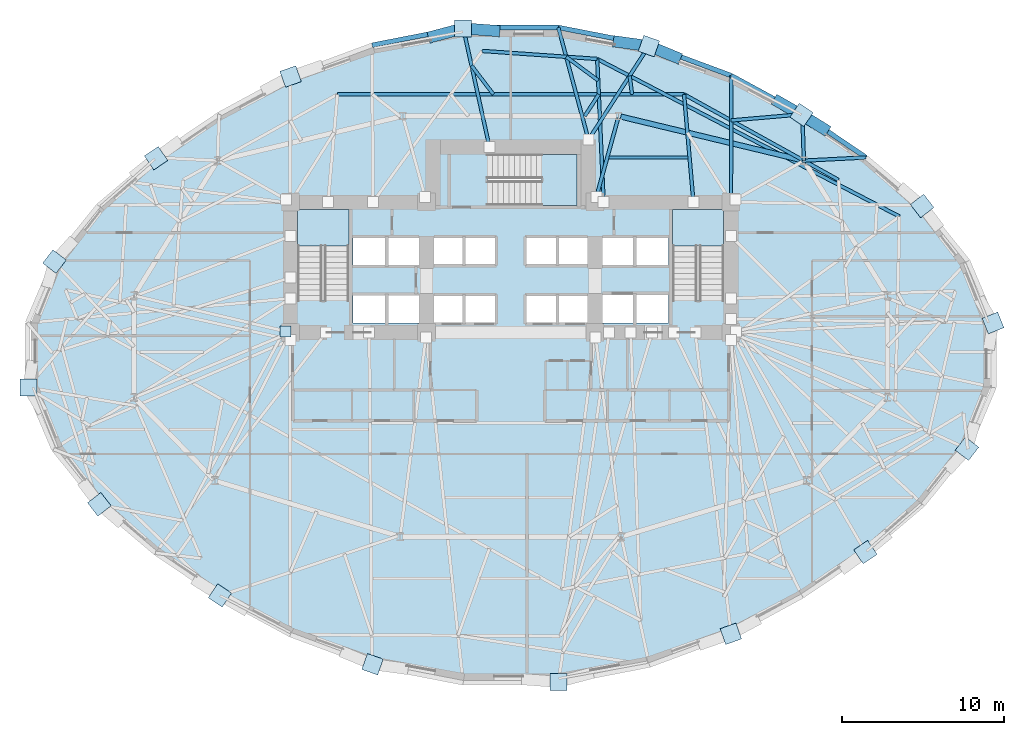
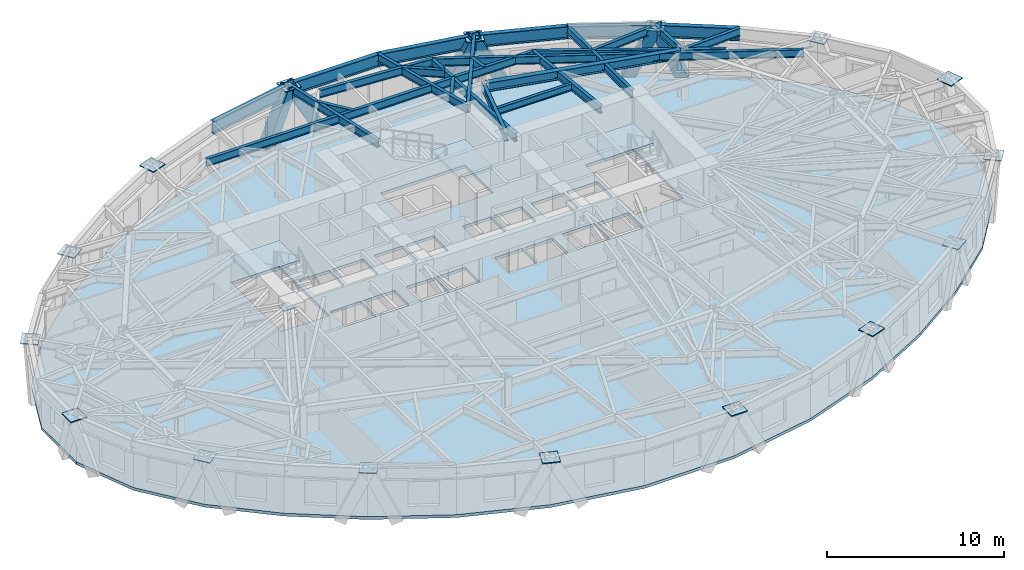
# One storey, part 5 of 14: 26 beams, 17 plates, 6 members, 4 slabs, 3 elements without a shape of their own.
"""IFC4 building model written with IfcOpenShell, lengths in metres."""

from ifc_helpers import new_model, si_unit, direction, frame, origin, origin_2d, place, context, subcontext, project, spatial, polyline, rectangle, hollow_rectangle, i_section, outline, extrude, material, layer, layer_set, material_profile, profile_set, type_object, element, aggregate, save


model = new_model("IFC4")

# Units and contexts
model_context = context("Model", 3, precision=1e-05, world=origin(), true_north=direction((0.0, 1.0)))
body_context = subcontext(model_context, "Body", "Model", "MODEL_VIEW")
ifc_project = project(units=[si_unit("LENGTHUNIT", "METRE"), si_unit("AREAUNIT", "SQUARE_METRE"), si_unit("VOLUMEUNIT", "CUBIC_METRE"), si_unit("PLANEANGLEUNIT", "RADIAN"), si_unit("MASSUNIT", "GRAM", prefix="KILO")], contexts=[model_context])

# Site, building, storey
site_placement = place(None, origin())
site = spatial("IfcSite", under=ifc_project, at=site_placement, CompositionType="ELEMENT")
building_placement = place(site_placement, origin())
building = spatial("IfcBuilding", under=site, at=building_placement, Name="Keldmark Tower", CompositionType="ELEMENT")
storey_placement = place(building_placement, frame((0.0, 0.0, 66.60009765625)))
storey = spatial("IfcBuildingStorey", under=building, at=storey_placement, Name="L17", CompositionType="ELEMENT", Elevation=66.60009765625)

# Beam
ifc_material_1 = material(Name="Steel ASTM A992 Grade 50", Category="steel")
ifc_material_profile_1 = material_profile(ifc_material_1, i_section(OverallWidth=0.19091796875, OverallDepth=0.45703125, WebThickness=0.009033203125, FlangeThickness=0.014404296875, at=origin_2d()), Name="W18X50")
ifc_profile_set_1 = profile_set([ifc_material_profile_1], Name="Steel ASTM A992 Grade 50")
beam_type_1 = type_object("IfcBeamType", Name="Composite Floor Joist W18X50", PredefinedType="JOIST", material=ifc_profile_set_1)
beam_1_placement = place(storey_placement, frame((6.060546875, 12.199951171875, 3.17138671875), z_axis=(1.0, 0.0, 0.0), x_axis=(0.0, 1.0, 0.0)))
element("IfcBeam", 1, at=beam_1_placement, inside=storey, type_object=beam_type_1, Name="L17 Composite Floor Joist J16", PredefinedType="JOIST", context=body_context, shape_type="SweptSolid", body=[
    extrude(i_section(OverallWidth=0.19091796875, OverallDepth=0.45703125, WebThickness=0.009033203125, FlangeThickness=0.014404296875, at=origin_2d()), origin(), (0.0, 0.0, 1.0), 4.882568359375),
])

# Members
ifc_material_2 = material(Name="Steel ASTM A572 Grade 50", Category="steel")
ifc_material_profile_2 = material_profile(ifc_material_2, hollow_rectangle(XDim=0.699951171875, YDim=0.699951171875, WallThickness=0.054931640625, at=origin_2d()), Name="BOX700X700X55")
ifc_profile_set_2 = profile_set([ifc_material_profile_2], Name="Steel ASTM A572 Grade 50")
member_type = type_object("IfcMemberType", Name="Diagrid Zone 1 Brace BOX700X700X55", PredefinedType="BRACE", material=ifc_profile_set_2)
member_1_placement = place(storey_placement, frame((19.31640625, 13.982421875, -0.280029296875), z_axis=(-0.348922415099, 0.218029628066, 0.911436355171), x_axis=(-0.529917000048, -0.848049510972, 0.0)))
element("IfcMember", 2, at=member_1_placement, inside=storey, type_object=member_type, Name="L17 Perimeter Diagrid Brace 02B", PredefinedType="BRACE", context=body_context, shape_type="SweptSolid", body=[
    extrude(hollow_rectangle(XDim=0.699951171875, YDim=0.699951171875, WallThickness=0.054931640625, at=origin_2d()), origin(), (0.0, 0.0, 1.0), 3.90576171875),
])
member_2_placement = place(storey_placement, frame((16.527587890625, 15.6455078125, -0.280029296875), z_axis=(0.365480191023, -0.20889914578, 0.907075177073), x_axis=(0.49623442189, 0.86818857314, 0.0)))
element("IfcMember", 3, at=member_2_placement, inside=storey, type_object=member_type, Name="L17 Perimeter Diagrid Brace 03A", PredefinedType="BRACE", context=body_context, shape_type="SweptSolid", body=[
    extrude(hollow_rectangle(XDim=0.699951171875, YDim=0.699951171875, WallThickness=0.054931640625, at=origin_2d()), origin(), (0.0, 0.0, 1.0), 3.924560546875),
])
member_3_placement = place(storey_placement, frame((10.1875, 18.399658203125, -0.280029296875), z_axis=(-0.415453523006, 0.17130335501, 0.893338418957), x_axis=(-0.38119547489, -0.924494461813, 0.0)))
element("IfcMember", 4, at=member_3_placement, inside=storey, type_object=member_type, Name="L17 Perimeter Diagrid Brace 03B", PredefinedType="BRACE", context=body_context, shape_type="SweptSolid", body=[
    extrude(hollow_rectangle(XDim=0.699951171875, YDim=0.699951171875, WallThickness=0.054931640625, at=origin_2d()), origin(), (0.0, 0.0, 1.0), 3.98486328125),
])
member_4_placement = place(storey_placement, frame((6.637451171875, 19.339111328125, -0.280029296875), z_axis=(0.470943156759, -0.06456235461, 0.879797843524), x_axis=(0.135821229572, 0.990733361504, 0.0)))
element("IfcMember", 5, at=member_4_placement, inside=storey, type_object=member_type, Name="L17 Perimeter Diagrid Brace 04A", PredefinedType="BRACE", context=body_context, shape_type="SweptSolid", body=[
    extrude(hollow_rectangle(XDim=0.699951171875, YDim=0.699951171875, WallThickness=0.054931640625, at=origin_2d()), origin(), (0.0, 0.0, 1.0), 4.046142578125),
])
member_5_placement = place(storey_placement, frame((-0.978515625, 20.02490234375, -0.280029296875), z_axis=(-0.4831474815, 0.035937581202, 0.874801121043), x_axis=(-0.074177299949, -0.997245069264, 0.0)))
element("IfcMember", 6, at=member_5_placement, inside=storey, type_object=member_type, Name="L17 Perimeter Diagrid Brace 04B", PredefinedType="BRACE", context=body_context, shape_type="SweptSolid", body=[
    extrude(hollow_rectangle(XDim=0.699951171875, YDim=0.699951171875, WallThickness=0.054931640625, at=origin_2d()), origin(), (0.0, 0.0, 1.0), 4.0693359375),
])
member_6_placement = place(storey_placement, frame((-4.7802734375, 19.680908203125, -0.280029296875), z_axis=(0.457272828994, 0.121327145959, 0.881011511569), x_axis=(-0.256454179424, 0.966556389382, 0.0)))
element("IfcMember", 7, at=member_6_placement, inside=storey, type_object=member_type, Name="L17 Perimeter Diagrid Brace 05A", PredefinedType="BRACE", context=body_context, shape_type="SweptSolid", body=[
    extrude(hollow_rectangle(XDim=0.699951171875, YDim=0.699951171875, WallThickness=0.054931640625, at=origin_2d()), origin(), (0.0, 0.0, 1.0), 4.04052734375),
])

# Beams
ifc_material_3 = material(Name="Steel ASTM A992 Grade 50", Category="steel")
ifc_material_profile_3 = material_profile(ifc_material_3, i_section(OverallWidth=0.323974609375, OverallDepth=0.611083984375, WebThickness=0.0126953125, FlangeThickness=0.01904296875, at=origin_2d()), Name="W24X104")
ifc_profile_set_3 = profile_set([ifc_material_profile_3], Name="Steel ASTM A992 Grade 50")
beam_type_2 = type_object("IfcBeamType", Name="Primary Floor Girder W24X104", PredefinedType="BEAM", material=ifc_profile_set_3)
beam_2_placement = place(storey_placement, frame((17.961669921875, 12.040283203125, 3.094482421875), z_axis=(-0.972218707757, 0.2340743136, 0.0), x_axis=(-0.2340743136, -0.972218707757, 0.0)))
element("IfcBeam", 8, at=beam_2_placement, inside=storey, type_object=beam_type_2, Name="L17 Floor Ring Girder FG-R02", PredefinedType="BEAM", context=body_context, shape_type="SweptSolid", body=[
    extrude(i_section(OverallWidth=0.323974609375, OverallDepth=0.611083984375, WebThickness=0.0126953125, FlangeThickness=0.01904296875, at=origin_2d()), origin(), (0.0, 0.0, 1.0), 11.479248046875),
])
ifc_material_4 = material(Name="Steel ASTM A992 Grade 50", Category="steel")
ifc_material_profile_4 = material_profile(ifc_material_4, i_section(OverallWidth=0.2099609375, OverallDepth=0.537109375, WebThickness=0.010986328125, FlangeThickness=0.017333984375, at=origin_2d()), Name="W21X68")
ifc_profile_set_4 = profile_set([ifc_material_profile_4], Name="Steel ASTM A992 Grade 50")
beam_type_3 = type_object("IfcBeamType", Name="Radial Tie Girder W21X68", PredefinedType="BEAM", material=ifc_profile_set_4)
beam_3_placement = place(storey_placement, frame((11.278564453125, 9.449951171875, 3.13134765625), z_axis=(-0.08664382052, 0.99623935295, 0.0), x_axis=(-0.99623935295, -0.08664382052, 0.0)))
element("IfcBeam", 9, at=beam_3_placement, inside=storey, type_object=beam_type_3, Name="L17 Sub-Ring Step Girder STP1-M02", PredefinedType="BEAM", context=body_context, shape_type="SweptSolid", body=[
    extrude(i_section(OverallWidth=0.2099609375, OverallDepth=0.537109375, WebThickness=0.010986328125, FlangeThickness=0.017333984375, at=origin_2d()), origin(), (0.0, 0.0, 1.0), 6.67529296875),
])
beam_4_placement = place(storey_placement, frame((20.232421875, 10.8212890625, 3.13134765625), z_axis=(-0.874813854329, 0.484459203932, 0.0), x_axis=(-0.484459203932, -0.874813854329, 0.0)))
element("IfcBeam", 10, at=beam_4_placement, inside=storey, type_object=beam_type_3, Name="L17 Perimeter Collector Ring Beam CRG1-M01", PredefinedType="BEAM", context=body_context, shape_type="SweptSolid", body=[
    extrude(i_section(OverallWidth=0.2099609375, OverallDepth=0.537109375, WebThickness=0.010986328125, FlangeThickness=0.017333984375, at=origin_2d()), origin(), (0.0, 0.0, 1.0), 10.896240234375),
])
beam_5_placement = place(storey_placement, frame((10.7001953125, 16.10009765625, 3.13134765625), z_axis=(-1.0, 0.0, 0.0), x_axis=(0.0, -1.0, 0.0)))
element("IfcBeam", 11, at=beam_5_placement, inside=storey, type_object=beam_type_3, Name="L17 Perimeter Collector Ring Beam CRG1-M02", PredefinedType="BEAM", context=body_context, shape_type="SweptSolid", body=[
    extrude(i_section(OverallWidth=0.2099609375, OverallDepth=0.537109375, WebThickness=0.010986328125, FlangeThickness=0.017333984375, at=origin_2d()), origin(), (0.0, 0.0, 1.0), 21.400390625),
])
beam_6_placement = place(storey_placement, frame((4.567626953125, 14.760009765625, 3.13134765625), z_axis=(0.543821685014, 0.839200795345, 0.0), x_axis=(-0.839200795345, 0.543821685014, 0.0)))
element("IfcBeam", 12, at=beam_6_placement, inside=storey, type_object=beam_type_3, Name="L17 Framing Pin Header PH-006", PredefinedType="BEAM", context=body_context, shape_type="SweptSolid", body=[
    extrude(i_section(OverallWidth=0.2099609375, OverallDepth=0.537109375, WebThickness=0.010986328125, FlangeThickness=0.017333984375, at=origin_2d()), origin(), (0.0, 0.0, 1.0), 1.596923828125),
])
beam_7_placement = place(storey_placement, frame((5.735595703125, 9.449951171875, 3.13134765625), z_axis=(-0.044991969999, 0.998987348586, 0.0), x_axis=(-0.998987348586, -0.044991969999, 0.0)))
element("IfcBeam", 13, at=beam_7_placement, inside=storey, type_object=beam_type_3, Name="L17 Sub-Ring Step Girder STP2-M03", PredefinedType="BEAM", context=body_context, shape_type="SweptSolid", body=[
    extrude(i_section(OverallWidth=0.2099609375, OverallDepth=0.537109375, WebThickness=0.010986328125, FlangeThickness=0.017333984375, at=origin_2d()), origin(), (0.0, 0.0, 1.0), 8.844970703125),
])
beam_8_placement = place(storey_placement, frame((23.998291015625, 8.559326171875, 3.13134765625), z_axis=(-0.886768473567, 0.462213883702, 0.0), x_axis=(-0.462213883702, -0.886768473567, 0.0)))
element("IfcBeam", 14, at=beam_8_placement, inside=storey, type_object=beam_type_3, Name="L17 Perimeter Collector Ring Beam CRG2-M01", PredefinedType="BEAM", context=body_context, shape_type="SweptSolid", body=[
    extrude(i_section(OverallWidth=0.2099609375, OverallDepth=0.537109375, WebThickness=0.010986328125, FlangeThickness=0.017333984375, at=origin_2d()), origin(), (0.0, 0.0, 1.0), 21.04345703125),
])
beam_9_placement = place(storey_placement, frame((5.337646484375, 18.285888671875, 3.13134765625), z_axis=(-0.997579308769, 0.069537922861, 0.0), x_axis=(-0.069537922861, -0.997579308769, 0.0)))
element("IfcBeam", 15, at=beam_9_placement, inside=storey, type_object=beam_type_3, Name="L17 Perimeter Collector Ring Beam CRG2-M03", PredefinedType="BEAM", context=body_context, shape_type="SweptSolid", body=[
    extrude(i_section(OverallWidth=0.2099609375, OverallDepth=0.537109375, WebThickness=0.010986328125, FlangeThickness=0.017333984375, at=origin_2d()), origin(), (0.0, 0.0, 1.0), 7.11669921875),
])
beam_10_placement = place(storey_placement, frame((18.09765625, 12.00732421875, 3.13134765625), z_axis=(0.998670012525, 0.051557793632, 0.0), x_axis=(-0.051557793632, 0.998670012525, 0.0)))
element("IfcBeam", 16, at=beam_10_placement, inside=storey, type_object=beam_type_3, Name="L17 Perimeter Column Bracket RT-04", PredefinedType="BEAM", context=body_context, shape_type="SweptSolid", body=[
    extrude(i_section(OverallWidth=0.2099609375, OverallDepth=0.537109375, WebThickness=0.010986328125, FlangeThickness=0.017333984375, at=origin_2d()), origin(), (0.0, 0.0, 1.0), 3.84033203125),
])
beam_11_placement = place(storey_placement, frame((18.09765625, 12.00732421875, 3.13134765625), z_axis=(-0.034066282939, 0.999419575737, 0.0), x_axis=(-0.999419575737, -0.034066282939, 0.0)))
element("IfcBeam", 17, at=beam_11_placement, inside=storey, type_object=beam_type_3, Name="L17 Perimeter Column Bracket RT-05", PredefinedType="BEAM", context=body_context, shape_type="SweptSolid", body=[
    extrude(i_section(OverallWidth=0.2099609375, OverallDepth=0.537109375, WebThickness=0.010986328125, FlangeThickness=0.017333984375, at=origin_2d()), origin(), (0.0, 0.0, 1.0), 2.86669921875),
])
beam_12_placement = place(storey_placement, frame((18.0, 14.872314453125, 3.13134765625), z_axis=(-0.99627745362, -0.086204613614, 0.0), x_axis=(0.086204613614, -0.99627745362, 0.0)))
element("IfcBeam", 18, at=beam_12_placement, inside=storey, type_object=beam_type_3, Name="L17 Framing Pin Header PH-017", PredefinedType="BEAM", context=body_context, shape_type="SweptSolid", body=[
    extrude(i_section(OverallWidth=0.2099609375, OverallDepth=0.537109375, WebThickness=0.010986328125, FlangeThickness=0.017333984375, at=origin_2d()), origin(), (0.0, 0.0, 1.0), 4.412353515625),
])
beam_13_placement = place(storey_placement, frame((13.60009765625, 9.89990234375, 3.13134765625), z_axis=(0.000829187111, 0.999999656224, 0.0), x_axis=(-0.999999656224, 0.000829187111, 0.0)))
element("IfcBeam", 19, at=beam_13_placement, inside=storey, type_object=beam_type_3, Name="L17 Perimeter Radial Tie Girder RT-06", PredefinedType="BEAM", context=body_context, shape_type="SweptSolid", body=[
    extrude(i_section(OverallWidth=0.2099609375, OverallDepth=0.537109375, WebThickness=0.010986328125, FlangeThickness=0.017333984375, at=origin_2d()), origin(), (0.0, 0.0, 1.0), 7.36083984375),
])
beam_14_placement = place(storey_placement, frame((7.489990234375, 16.10009765625, 3.13134765625), z_axis=(-0.129928142778, 0.99152341259, 0.0), x_axis=(-0.99152341259, -0.129928142778, 0.0)))
element("IfcBeam", 20, at=beam_14_placement, inside=storey, type_object=beam_type_3, Name="L17 Framing Pin Header PH-018", PredefinedType="BEAM", context=body_context, shape_type="SweptSolid", body=[
    extrude(i_section(OverallWidth=0.2099609375, OverallDepth=0.537109375, WebThickness=0.010986328125, FlangeThickness=0.017333984375, at=origin_2d()), origin(), (0.0, 0.0, 1.0), 1.15185546875),
])
beam_15_placement = place(storey_placement, frame((4.800048828125, 13.300048828125, 3.13134765625), z_axis=(0.541679797479, 0.840584913618, 0.0), x_axis=(-0.840584913618, 0.541679797479, 0.0)))
element("IfcBeam", 21, at=beam_15_placement, inside=storey, type_object=beam_type_3, Name="L17 Perimeter Radial Tie Girder RT-07", PredefinedType="BEAM", context=body_context, shape_type="SweptSolid", body=[
    extrude(i_section(OverallWidth=0.2099609375, OverallDepth=0.537109375, WebThickness=0.010986328125, FlangeThickness=0.017333984375, at=origin_2d()), origin(), (0.0, 0.0, 1.0), 6.94189453125),
])
beam_16_placement = place(storey_placement, frame((5.397216796875, 16.960693359375, 3.13134765625), z_axis=(-0.804018906433, 0.594603731992, 0.0), x_axis=(-0.594603731992, -0.804018906433, 0.0)))
element("IfcBeam", 22, at=beam_16_placement, inside=storey, type_object=beam_type_3, Name="L17 Framing Pin Header PH-019", PredefinedType="BEAM", context=body_context, shape_type="SweptSolid", body=[
    extrude(i_section(OverallWidth=0.2099609375, OverallDepth=0.537109375, WebThickness=0.010986328125, FlangeThickness=0.017333984375, at=origin_2d()), origin(), (0.0, 0.0, 1.0), 2.452880859375),
])
beam_17_placement = place(storey_placement, frame((4.800048828125, 13.300048828125, 3.13134765625), z_axis=(-0.259373158816, 0.965777181593, 0.0), x_axis=(-0.965777181593, -0.259373158816, 0.0)))
element("IfcBeam", 23, at=beam_17_placement, inside=storey, type_object=beam_type_3, Name="L17 Perimeter Radial Tie Girder RT-08", PredefinedType="BEAM", context=body_context, shape_type="SweptSolid", body=[
    extrude(i_section(OverallWidth=0.2099609375, OverallDepth=0.537109375, WebThickness=0.010986328125, FlangeThickness=0.017333984375, at=origin_2d()), origin(), (0.0, 0.0, 1.0), 7.17626953125),
])
beam_18_placement = place(storey_placement, frame((-1.070068359375, 16.10009765625, 3.13134765625), z_axis=(-0.605739218063, 0.795663245161, 0.0), x_axis=(-0.795663245161, -0.605739218063, 0.0)))
element("IfcBeam", 24, at=beam_18_placement, inside=storey, type_object=beam_type_3, Name="L17 Framing Pin Header PH-020", PredefinedType="BEAM", context=body_context, shape_type="SweptSolid", body=[
    extrude(i_section(OverallWidth=0.2099609375, OverallDepth=0.537109375, WebThickness=0.010986328125, FlangeThickness=0.017333984375, at=origin_2d()), origin(), (0.0, 0.0, 1.0), 2.226318359375),
])
beam_19_placement = place(storey_placement, frame((-1.3125, 12.85009765625, 3.13134765625), z_axis=(-0.215175442354, 0.976575408767, 0.0), x_axis=(-0.976575408767, -0.215175442354, 0.0)))
element("IfcBeam", 25, at=beam_19_placement, inside=storey, type_object=beam_type_3, Name="L17 Perimeter Radial Tie Girder RT-09", PredefinedType="BEAM", context=body_context, shape_type="SweptSolid", body=[
    extrude(i_section(OverallWidth=0.2099609375, OverallDepth=0.537109375, WebThickness=0.010986328125, FlangeThickness=0.017333984375, at=origin_2d()), origin(), (0.0, 0.0, 1.0), 7.5576171875),
])
ifc_material_5 = material(Name="Steel ASTM A992 Grade 50", Category="steel")
ifc_material_profile_5 = material_profile(ifc_material_5, i_section(OverallWidth=0.214111328125, OverallDepth=0.549072265625, WebThickness=0.0146484375, FlangeThickness=0.023681640625, at=origin_2d()), Name="W21X93")
ifc_profile_set_5 = profile_set([ifc_material_profile_5], Name="Steel ASTM A992 Grade 50")
beam_type_4 = type_object("IfcBeamType", Name="Radial Tie Girder W21X93", PredefinedType="BEAM", material=ifc_profile_set_5)
beam_20_placement = place(storey_placement, frame((6.6279296875, 14.625, 3.12548828125), z_axis=(-0.265984786353, -0.963977226613, 0.0), x_axis=(0.963977226613, -0.265984786353, 0.0)))
element("IfcBeam", 26, at=beam_20_placement, inside=storey, type_object=beam_type_4, Name="L17 Floor Radial Girder FG-C03", PredefinedType="BEAM", context=body_context, shape_type="SweptSolid", body=[
    extrude(i_section(OverallWidth=0.214111328125, OverallDepth=0.549072265625, WebThickness=0.0146484375, FlangeThickness=0.023681640625, at=origin_2d()), origin(), (0.0, 0.0, 1.0), 5.04833984375),
])
ifc_material_6 = material(Name="Steel ASTM A992 Grade 50", Category="steel")
ifc_material_profile_6 = material_profile(ifc_material_6, i_section(OverallWidth=0.2919921875, OverallDepth=0.85888671875, WebThickness=0.01708984375, FlangeThickness=0.031005859375, at=origin_2d()), Name="W33X169")
ifc_profile_set_6 = profile_set([ifc_material_profile_6], Name="Steel ASTM A992 Grade 50")
beam_type_5 = type_object("IfcBeamType", Name="Spandrel Ring Beam W33X169", PredefinedType="SPANDREL", material=ifc_profile_set_6)
beam_21_placement = place(storey_placement, frame((21.932861328125, 12.205322265625, 2.970458984375), z_axis=(-0.827645395623, 0.561251368911, 0.0), x_axis=(-0.561251368911, -0.827645395623, 0.0)))
element("IfcBeam", 27, at=beam_21_placement, inside=storey, type_object=beam_type_5, Name="L17 Perimeter Spandrel Ring Beam SRB-04", PredefinedType="SPANDREL", context=body_context, shape_type="SweptSolid", body=[
    extrude(i_section(OverallWidth=0.2919921875, OverallDepth=0.85888671875, WebThickness=0.01708984375, FlangeThickness=0.031005859375, at=origin_2d()), origin(), (0.0, 0.0, 1.0), 4.751953125),
])
beam_22_placement = place(storey_placement, frame((18.0, 14.872314453125, 2.970458984375), z_axis=(-0.878583097087, 0.477589511519, 0.0), x_axis=(-0.477589511519, -0.878583097087, 0.0)))
element("IfcBeam", 28, at=beam_22_placement, inside=storey, type_object=beam_type_5, Name="L17 Perimeter Spandrel Ring Beam SRB-05", PredefinedType="SPANDREL", context=body_context, shape_type="SweptSolid", body=[
    extrude(i_section(OverallWidth=0.2919921875, OverallDepth=0.85888671875, WebThickness=0.01708984375, FlangeThickness=0.031005859375, at=origin_2d()), origin(), (0.0, 0.0, 1.0), 5.0009765625),
])
beam_23_placement = place(storey_placement, frame((13.606201171875, 17.2607421875, 2.970458984375), z_axis=(-0.937405813917, 0.348238912292, 0.0), x_axis=(-0.348238912292, -0.937405813917, 0.0)))
element("IfcBeam", 29, at=beam_23_placement, inside=storey, type_object=beam_type_5, Name="L17 Perimeter Spandrel Ring Beam SRB-06", PredefinedType="SPANDREL", context=body_context, shape_type="SweptSolid", body=[
    extrude(i_section(OverallWidth=0.2919921875, OverallDepth=0.85888671875, WebThickness=0.01708984375, FlangeThickness=0.031005859375, at=origin_2d()), origin(), (0.0, 0.0, 1.0), 5.3828125),
])
beam_24_placement = place(storey_placement, frame((8.560302734375, 19.13525390625, 2.970458984375), z_axis=(-0.981537660085, 0.191268977712, 0.0), x_axis=(-0.191268977712, -0.981537660085, 0.0)))
element("IfcBeam", 30, at=beam_24_placement, inside=storey, type_object=beam_type_5, Name="L17 Perimeter Spandrel Ring Beam SRB-07", PredefinedType="SPANDREL", context=body_context, shape_type="SweptSolid", body=[
    extrude(i_section(OverallWidth=0.2919921875, OverallDepth=0.85888671875, WebThickness=0.01708984375, FlangeThickness=0.031005859375, at=origin_2d()), origin(), (0.0, 0.0, 1.0), 5.727294921875),
])
beam_25_placement = place(storey_placement, frame((2.938720703125, 20.230712890625, 2.970458984375), z_axis=(-1.0, 0.0, 0.0), x_axis=(0.0, -1.0, 0.0)))
element("IfcBeam", 31, at=beam_25_placement, inside=storey, type_object=beam_type_5, Name="L17 Perimeter Spandrel Ring Beam SRB-08", PredefinedType="SPANDREL", context=body_context, shape_type="SweptSolid", body=[
    extrude(i_section(OverallWidth=0.2919921875, OverallDepth=0.85888671875, WebThickness=0.01708984375, FlangeThickness=0.031005859375, at=origin_2d()), origin(), (0.0, 0.0, 1.0), 5.87744140625),
])
beam_26_placement = place(storey_placement, frame((-2.938720703125, 20.230712890625, 2.970458984375), z_axis=(-0.981537660085, -0.191268977712, 0.0), x_axis=(0.191268977712, -0.981537660085, 0.0)))
element("IfcBeam", 32, at=beam_26_placement, inside=storey, type_object=beam_type_5, Name="L17 Perimeter Spandrel Ring Beam SRB-09", PredefinedType="SPANDREL", context=body_context, shape_type="SweptSolid", body=[
    extrude(i_section(OverallWidth=0.2919921875, OverallDepth=0.85888671875, WebThickness=0.01708984375, FlangeThickness=0.031005859375, at=origin_2d()), origin(), (0.0, 0.0, 1.0), 5.727294921875),
])

# Plates
ifc_material_7 = material(Name="Steel ASTM A572 Grade 50", Category="steel")
ifc_layer_1 = layer(ifc_material_7, 0.06005859375)
ifc_layer_set_1 = layer_set([ifc_layer_1], Name="Steel ASTM A572 Grade 50")
plate_type_1 = type_object("IfcPlateType", Name="Belt Truss Kink Node Assembly KN01 60 mm", PredefinedType="USERDEFINED", material=ifc_layer_set_1)
plate_placement = place(storey_placement, frame((-13.91162109375, 1.473388671875, 3.09814453125), z_axis=(0.0, 0.0, 1.0), x_axis=(1.0, 0.0, 0.0)))
element("IfcPlate", 33, at=plate_placement, inside=storey, type_object=plate_type_1, Name="L17 Core Wall Cast-In Embed Plate 439", ObjectType="CAP PLATE", PredefinedType="USERDEFINED", context=body_context, shape_type="SweptSolid", body=[
    extrude(rectangle(XDim=0.679931640625, YDim=0.679931640625, at=origin_2d()), origin(), (0.0, 0.0, 1.0), 0.054931640625),
])
ifc_material_8 = material(Name="Steel ASTM A572 Grade 50", Category="steel")
ifc_layer_2 = layer(ifc_material_8, 0.06494140625)
ifc_layer_set_2 = layer_set([ifc_layer_2], Name="Steel ASTM A572 Grade 50")
plate_type_2 = type_object("IfcPlateType", Name="Diagrid Node Assembly DN02 65 mm", PredefinedType="USERDEFINED", material=ifc_layer_set_2)
for number, where, z_axis, x_axis, name in (
    (34, (29.77587890625, 1.98681640625, 3.247314453125), (0.0, 0.0, 1.0), (-0.371691915613, 0.928356138488, 0.0), "L17 Diagrid Node Assembly 01"),
    (35, (25.398193359375, 9.208740234375, 3.247314453125), (0.0, 0.0, 1.0), (-0.610698137684, 0.791863488633, 0.0), "L17 Diagrid Node Assembly 02"),
    (36, (17.95361328125, 14.833984375, 3.247314453125), (0.0, 0.0, 1.0), (-0.827668733006, 0.561216953062, 0.0), "L17 Diagrid Node Assembly 04"),
    (37, (8.531982421875, 19.082275390625, 3.247314453125), (0.0, 0.0, 1.0), (-0.94252491309, 0.334135882844, 0.0), "L17 Diagrid Node Assembly 06"),
    (38, (-2.944580078125, 20.171142578125, 3.247314453125), (0.0, 0.0, 1.0), (-1.0, 0.0, 0.0), "L17 Diagrid Node Assembly 08"),
    (39, (-13.5888671875, 17.203369140625, 3.247314453125), (0.0, 0.0, 1.0), (-0.94252491309, -0.334135882844, 0.0), "L17 Diagrid Node Assembly 10"),
    (40, (-21.894775390625, 12.158935546875, 3.247314453125), (0.0, 0.0, 1.0), (-0.827668733006, -0.561216953062, 0.0), "L17 Diagrid Node Assembly 12"),
    (41, (-28.1669921875, 5.7763671875, 3.247314453125), (0.0, 0.0, 1.0), (-0.610698137684, -0.791863488633, 0.0), "L17 Diagrid Node Assembly 14"),
    (42, (-29.77587890625, -1.99853515625, 3.247314453125), (0.0, 0.0, 1.0), (0.0, -1.0, 0.0), "L17 Diagrid Node Assembly 16"),
    (43, (-25.398193359375, -9.208740234375, 3.247314453125), (0.0, 0.0, 1.0), (0.610698137684, -0.791863488633, 0.0), "L17 Diagrid Node Assembly 18"),
    (44, (-17.95361328125, -14.833984375, 3.247314453125), (0.0, 0.0, 1.0), (0.827668733006, -0.561216953062, 0.0), "L17 Diagrid Node Assembly 20"),
    (45, (-8.531982421875, -19.082275390625, 3.247314453125), (0.0, 0.0, 1.0), (0.94252491309, -0.334135882844, 0.0), "L17 Diagrid Node Assembly 22"),
    (46, (2.944580078125, -20.171142578125, 3.247314453125), (0.0, 0.0, 1.0), (1.0, 0.0, 0.0), "L17 Diagrid Node Assembly 24"),
    (47, (13.5888671875, -17.203369140625, 3.247314453125), (0.0, 0.0, 1.0), (0.94252491309, 0.334135882844, 0.0), "L17 Diagrid Node Assembly 26"),
    (48, (21.894775390625, -12.158935546875, 3.247314453125), (0.0, 0.0, 1.0), (0.827668733006, 0.561216953062, 0.0), "L17 Diagrid Node Assembly 28"),
    (49, (28.1669921875, -5.7763671875, 3.247314453125), (0.0, 0.0, 1.0), (0.610698137684, 0.791863488633, 0.0), "L17 Diagrid Node Assembly 30"),
):
    element("IfcPlate", number, at=place(storey_placement, frame(where, z_axis=z_axis, x_axis=x_axis)), inside=storey, type_object=plate_type_2, Name=name, ObjectType="GUSSET", PredefinedType="USERDEFINED", context=body_context, shape_type="SweptSolid", body=[
        extrude(rectangle(XDim=1.0400390625, YDim=1.0400390625, at=origin_2d()), origin(), (0.0, 0.0, 1.0), 0.06494140625),
    ])

# Slab
ifc_material_9 = material(Name="Concrete C35/45", Category="concrete")
ifc_layer_3 = layer(ifc_material_9, 0.199951171875)
ifc_layer_set_3 = layer_set([ifc_layer_3], Name="Concrete C35/45")
slab_type_1 = type_object("IfcSlabType", Name="Low-Rise Office Composite Slab 200 mm", PredefinedType="FLOOR", material=ifc_layer_set_3)
slab_1_placement = place(storey_placement, frame((0.0, 0.0, -0.2001953125)))
element("IfcSlab", 50, at=slab_1_placement, inside=storey, type_object=slab_type_1, Name="L17 Composite Structural Floor Slab", PredefinedType="FLOOR", context=body_context, shape_type="SweptSolid", body=[
    extrude(outline(polyline([(29.620849609375, 1.978271484375), (28.0986328125, 5.779541015625), (25.4443359375, 9.2216796875), (21.991943359375, 12.23779296875), (18.04833984375, 14.91162109375), (13.60009765625, 17.252685546875), (8.523681640625, 19.052490234375), (2.91748046875, 20.08447265625), (-2.91748046875, 20.08447265625), (-8.523681640625, 19.052490234375), (-13.60009765625, 17.252685546875), (-18.04833984375, 14.91162109375), (-21.991943359375, 12.23779296875), (-25.4443359375, 9.2216796875), (-28.0986328125, 5.779541015625), (-29.620849609375, 1.978271484375), (-29.620849609375, -1.978271484375), (-28.0986328125, -5.779541015625), (-25.4443359375, -9.2216796875), (-21.991943359375, -12.23779296875), (-18.04833984375, -14.91162109375), (-13.60009765625, -17.252685546875), (-8.523681640625, -19.052490234375), (-2.91748046875, -20.08447265625), (2.91748046875, -20.08447265625), (8.523681640625, -19.052490234375), (13.60009765625, -17.252685546875), (18.04833984375, -14.91162109375), (21.991943359375, -12.23779296875), (25.4443359375, -9.2216796875), (28.0986328125, -5.779541015625), (29.620849609375, -1.978271484375), (29.620849609375, 1.978271484375)]), holes=[polyline([(-10.0, 3.385009765625), (-10.0, 9.0), (-13.14990234375, 9.0), (-13.14990234375, 3.385009765625), (-10.0, 3.385009765625)]), polyline([(13.14990234375, 3.385009765625), (13.14990234375, 9.0), (10.0, 9.0), (10.0, 3.385009765625), (13.14990234375, 3.385009765625)]), polyline([(-1.43994140625, 9.25), (4.10498046875, 9.25), (4.10498046875, 12.39990234375), (-1.43994140625, 12.39990234375), (-1.43994140625, 9.25)]), polyline([(-9.75, 2.0), (-7.75, 2.0), (-7.75, 3.699951171875), (-9.75, 3.699951171875), (-9.75, 2.0)]), polyline([(7.75, 2.0), (9.75, 2.0), (9.75, 3.699951171875), (7.75, 3.699951171875), (7.75, 2.0)]), polyline([(5.449951171875, 2.0), (7.550048828125, 2.0), (7.550048828125, 3.75), (5.449951171875, 3.75), (5.449951171875, 2.0)]), polyline([(-4.800048828125, 2.0), (-2.949951171875, 2.0), (-2.949951171875, 3.64990234375), (-4.800048828125, 3.64990234375), (-4.800048828125, 2.0)]), polyline([(-2.800048828125, 2.0), (-0.949951171875, 2.0), (-0.949951171875, 3.64990234375), (-2.800048828125, 3.64990234375), (-2.800048828125, 2.0)]), polyline([(0.949951171875, 2.0), (2.800048828125, 2.0), (2.800048828125, 3.64990234375), (0.949951171875, 3.64990234375), (0.949951171875, 2.0)]), polyline([(2.949951171875, 2.0), (4.800048828125, 2.0), (4.800048828125, 3.64990234375), (2.949951171875, 3.64990234375), (2.949951171875, 2.0)]), polyline([(-4.800048828125, 5.60009765625), (-2.949951171875, 5.60009765625), (-2.949951171875, 7.25), (-4.800048828125, 7.25), (-4.800048828125, 5.60009765625)]), polyline([(-2.800048828125, 5.60009765625), (-0.949951171875, 5.60009765625), (-0.949951171875, 7.25), (-2.800048828125, 7.25), (-2.800048828125, 5.60009765625)]), polyline([(0.949951171875, 5.60009765625), (2.800048828125, 5.60009765625), (2.800048828125, 7.25), (0.949951171875, 7.25), (0.949951171875, 5.60009765625)]), polyline([(2.949951171875, 5.60009765625), (4.800048828125, 5.60009765625), (4.800048828125, 7.25), (2.949951171875, 7.25), (2.949951171875, 5.60009765625)]), polyline([(-9.75, 5.550048828125), (-7.75, 5.550048828125), (-7.75, 7.25), (-9.75, 7.25), (-9.75, 5.550048828125)]), polyline([(-7.550048828125, 5.550048828125), (-5.550048828125, 5.550048828125), (-5.550048828125, 7.25), (-7.550048828125, 7.25), (-7.550048828125, 5.550048828125)]), polyline([(-7.550048828125, 2.0), (-5.550048828125, 2.0), (-5.550048828125, 3.699951171875), (-7.550048828125, 3.699951171875), (-7.550048828125, 2.0)]), polyline([(5.449951171875, 5.550048828125), (7.550048828125, 5.550048828125), (7.550048828125, 7.25), (5.449951171875, 7.25), (5.449951171875, 5.550048828125)]), polyline([(7.75, 5.550048828125), (9.75, 5.550048828125), (9.75, 7.25), (7.75, 7.25), (7.75, 5.550048828125)])]), origin(), (0.0, 0.0, 1.0), 0.2001953125),
])

# Stair, slab
ifc_material_10 = material(Name="Concrete C40/50", Category="concrete")
stair_type = type_object("IfcStairType", Name="Precast Concrete Core Exit Stair", PredefinedType="HALF_TURN_STAIR", material=ifc_material_10)
stair_1_placement = place(storey_placement, origin())
stair_1 = element("IfcStair", 51, at=stair_1_placement, inside=storey, type_object=stair_type, Name="L17 Exit Stair ST1", PredefinedType="HALF_TURN_STAIR")
ifc_material_11 = material(Name="Concrete C40/50", Category="concrete")
ifc_layer_4 = layer(ifc_material_11, 0.199951171875)
ifc_layer_set_4 = layer_set([ifc_layer_4], Name="Concrete C40/50")
slab_type_2 = type_object("IfcSlabType", Name="Reinforced Concrete Stair Landing 200 mm", PredefinedType="LANDING", material=ifc_layer_set_4)
slab_2_placement = place(storey_placement, frame((0.0, 0.0, 1.599853515625)))
slab_2 = element("IfcSlab", 52, at=slab_2_placement, type_object=slab_type_2, Name="ST1 landing 1", PredefinedType="LANDING", context=body_context, shape_type="SweptSolid", body=[
    extrude(outline(polyline([(-10.0, 6.72998046875), (-10.0, 9.0), (-13.14990234375, 9.0), (-13.14990234375, 6.72998046875), (-10.0, 6.72998046875)])), origin(), (0.0, 0.0, 1.0), 0.199951171875),
])
aggregate(stair_1, [slab_2])

stair_2_placement = place(storey_placement, origin())
stair_2 = element("IfcStair", 53, at=stair_2_placement, inside=storey, type_object=stair_type, Name="L17 Exit Stair ST2", PredefinedType="HALF_TURN_STAIR")
slab_3_placement = place(storey_placement, frame((0.0, 0.0, 1.599853515625)))
slab_3 = element("IfcSlab", 54, at=slab_3_placement, type_object=slab_type_2, Name="ST2 landing 1", PredefinedType="LANDING", context=body_context, shape_type="SweptSolid", body=[
    extrude(outline(polyline([(13.14990234375, 6.72998046875), (13.14990234375, 9.0), (10.0, 9.0), (10.0, 6.72998046875), (13.14990234375, 6.72998046875)])), origin(), (0.0, 0.0, 1.0), 0.199951171875),
])
aggregate(stair_2, [slab_3])

stair_3_placement = place(storey_placement, origin())
stair_3 = element("IfcStair", 55, at=stair_3_placement, inside=storey, type_object=stair_type, Name="L17 Exit Stair ST3", PredefinedType="HALF_TURN_STAIR")
slab_4_placement = place(storey_placement, frame((0.0, 0.0, 1.599853515625)))
slab_4 = element("IfcSlab", 56, at=slab_4_placement, type_object=slab_type_2, Name="ST3 landing 1", PredefinedType="LANDING", context=body_context, shape_type="SweptSolid", body=[
    extrude(outline(polyline([(1.905029296875, 9.25), (4.10498046875, 9.25), (4.10498046875, 12.39990234375), (1.905029296875, 12.39990234375), (1.905029296875, 9.25)])), origin(), (0.0, 0.0, 1.0), 0.199951171875),
])
aggregate(stair_3, [slab_4])

save(model, "model.ifc")
